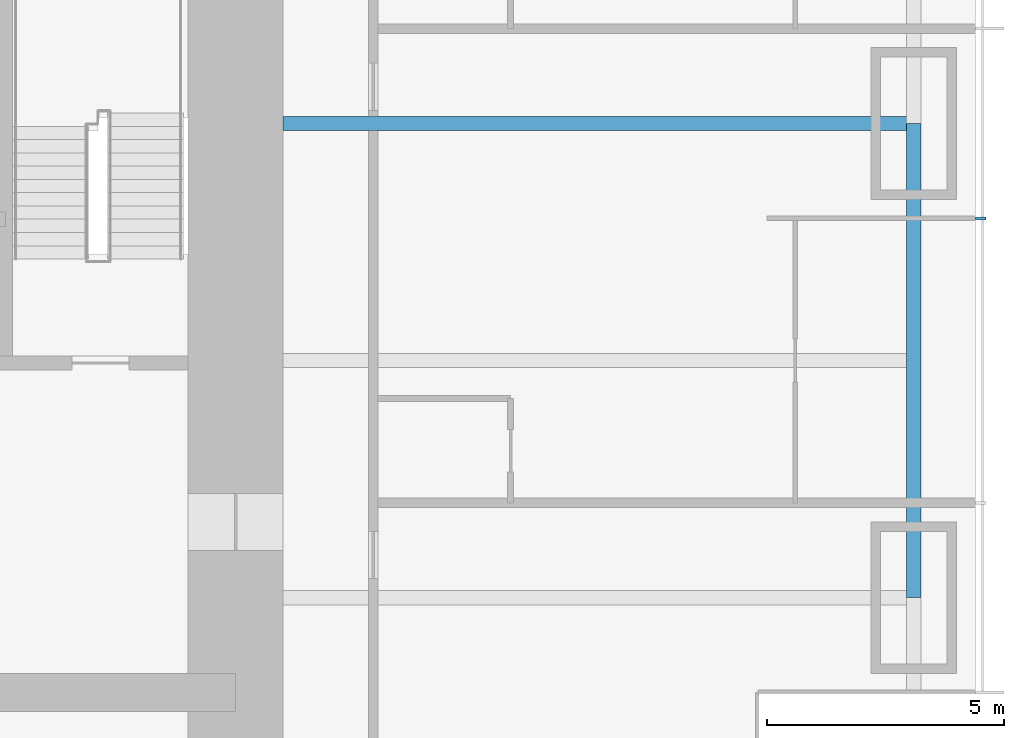
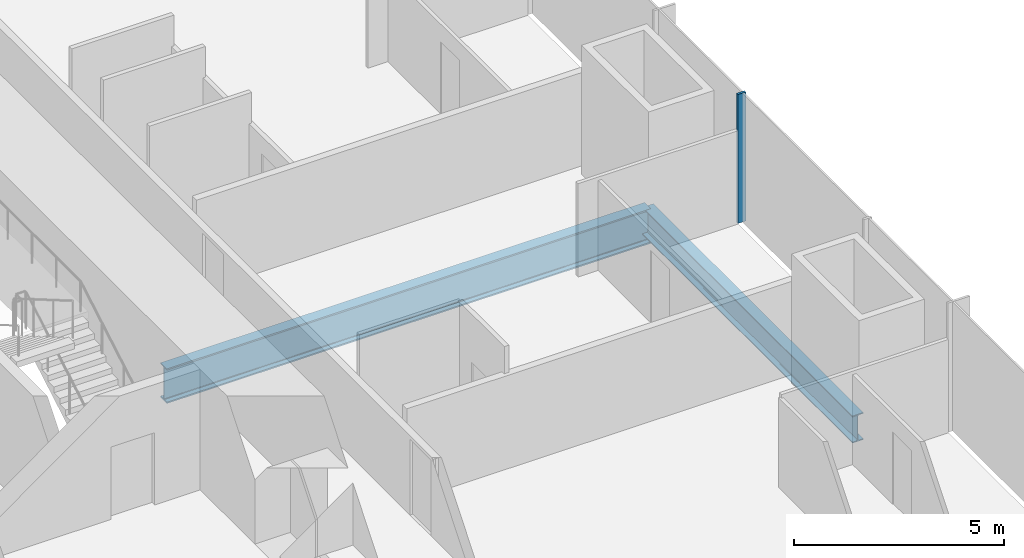
# One storey, part 5 of 17: 2 beams, 1 member, 1 element without a shape of its own.
"""IFC4 building model written with IfcOpenShell, lengths in metres."""

from ifc_helpers import new_model, si_unit, direction, frame, origin, origin_2d, place, context, subcontext, project, spatial, rectangle, i_section, extrude, material, material_profile, profile_set, type_object, element, aggregate, save


model = new_model("IFC4")

# Units and contexts
model_context = context("Model", 3, precision=1e-05, world=origin(), true_north=direction((0.0, 1.0)))
body_context = subcontext(model_context, "Body", "Model", "MODEL_VIEW")
ifc_project = project(units=[si_unit("LENGTHUNIT", "METRE"), si_unit("AREAUNIT", "SQUARE_METRE"), si_unit("VOLUMEUNIT", "CUBIC_METRE"), si_unit("PLANEANGLEUNIT", "RADIAN"), si_unit("MASSUNIT", "GRAM", prefix="KILO")], contexts=[model_context])

# Site, building, storey
site_placement = place(None, origin())
site = spatial("IfcSite", under=ifc_project, at=site_placement, CompositionType="ELEMENT")
building_placement = place(site_placement, origin())
building = spatial("IfcBuilding", under=site, at=building_placement, Name="Khuree Lantern Residences", CompositionType="ELEMENT")
storey_placement = place(building_placement, frame((0.0, 0.0, 73.5)))
storey = spatial("IfcBuildingStorey", under=building, at=storey_placement, Name="L18", CompositionType="ELEMENT", Elevation=73.5)

# Beams
ifc_material_1 = material(Name="Steel S355", Category="steel")
ifc_material_profile_1 = material_profile(ifc_material_1, i_section(OverallWidth=0.300048828125, OverallDepth=0.7900390625, WebThickness=0.014892578125, FlangeThickness=0.028076171875, FilletRadius=0.030029296875, at=origin_2d()), Name="HE 800 A")
ifc_profile_set_1 = profile_set([ifc_material_profile_1], Name="Steel S355")
beam_type_1 = type_object("IfcBeamType", Name="E-14 SPANDREL BEAM HE 800 A", PredefinedType="SPANDREL", material=ifc_profile_set_1)
beam_1_placement = place(storey_placement, frame((29.800048828125, 0.0, -0.64501953125), z_axis=(0.0, -1.0, 0.0), x_axis=(1.0, 0.0, 0.0)))
element("IfcBeam", 1, at=beam_1_placement, inside=storey, type_object=beam_type_1, Name="Spandrel beam E4", PredefinedType="SPANDREL", context=body_context, shape_type="SweptSolid", body=[
    extrude(i_section(OverallWidth=0.300048828125, OverallDepth=0.7900390625, WebThickness=0.014892578125, FlangeThickness=0.028076171875, FilletRadius=0.030029296875, at=origin_2d()), origin(), (0.0, 0.0, 1.0), 10.0),
])
ifc_material_profile_2 = material_profile(ifc_material_1, i_section(OverallWidth=0.302001953125, OverallDepth=1.008056640625, WebThickness=0.02099609375, FlangeThickness=0.0400390625, FilletRadius=0.030029296875, at=origin_2d()), Name="HE 1000 M")
ifc_profile_set_2 = profile_set([ifc_material_profile_2], Name="Steel S355")
beam_type_2 = type_object("IfcBeamType", Name="G-14 GIRDER HE 1000 M", PredefinedType="BEAM", material=ifc_profile_set_2)
beam_2_placement = place(storey_placement, frame((29.800048828125, 0.0, -0.75390625), z_axis=(-1.0, 0.0, 0.0), x_axis=(0.0, -1.0, 0.0)))
element("IfcBeam", 2, at=beam_2_placement, inside=storey, type_object=beam_type_2, Name="Girder E3", PredefinedType="BEAM", context=body_context, shape_type="SweptSolid", body=[
    extrude(i_section(OverallWidth=0.302001953125, OverallDepth=1.008056640625, WebThickness=0.02099609375, FlangeThickness=0.0400390625, FilletRadius=0.030029296875, at=origin_2d()), origin(), (0.0, 0.0, 1.0), 13.300048828125),
])

# Curtain wall, member
ifc_material_2 = material(Name="Bronze anodised aluminium", Category="aluminium")
curtain_wall_type = type_object("IfcCurtainWallType", Name="CW-T1 TOWER FACE CURTAIN WALL", PredefinedType="USERDEFINED", material=ifc_material_2)
curtain_wall_placement = place(storey_placement, origin())
curtain_wall = element("IfcCurtainWall", 3, at=curtain_wall_placement, inside=storey, type_object=curtain_wall_type, Name="L18 EAST FACE CURTAIN WALL", ObjectType="Stick-built curtain wall", PredefinedType="USERDEFINED")
ifc_material_profile_3 = material_profile(ifc_material_2, rectangle(XDim=0.06494140625, YDim=0.219970703125, at=origin_2d()), Name="M1 65X220")
ifc_profile_set_3 = profile_set([ifc_material_profile_3], Name="Bronze anodised aluminium")
member_type = type_object("IfcMemberType", Name="M1 BRONZE MULLION TOWER 65X220", PredefinedType="MULLION", material=ifc_profile_set_3)
member_placement = place(storey_placement, frame((31.2099609375, -2.0, 0.0), z_axis=(0.0, 0.0, 1.0), x_axis=(0.0, 1.0, 0.0)))
member = element("IfcMember", 4, at=member_placement, type_object=member_type, Name="L18 EAST FACE MULLION 9", PredefinedType="MULLION", context=body_context, shape_type="SweptSolid", body=[
    extrude(rectangle(XDim=0.06494140625, YDim=0.219970703125, at=origin_2d()), origin(), (0.0, 0.0, 1.0), 3.75),
])
aggregate(curtain_wall, [member])

save(model, "model.ifc")
